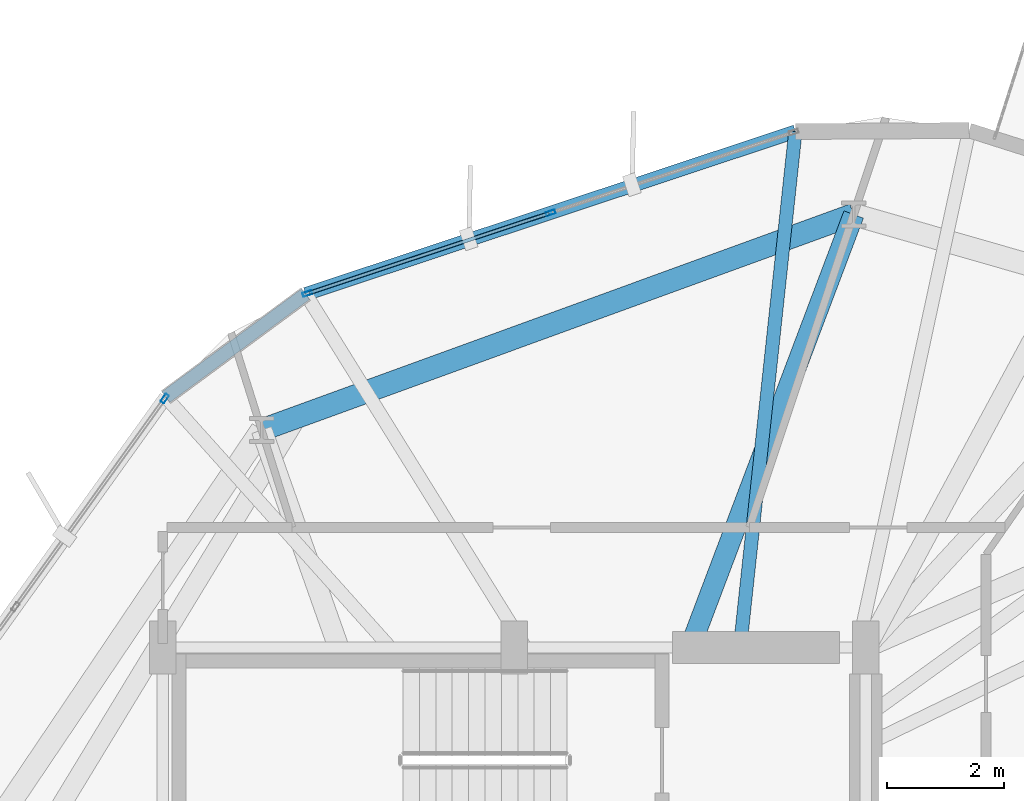
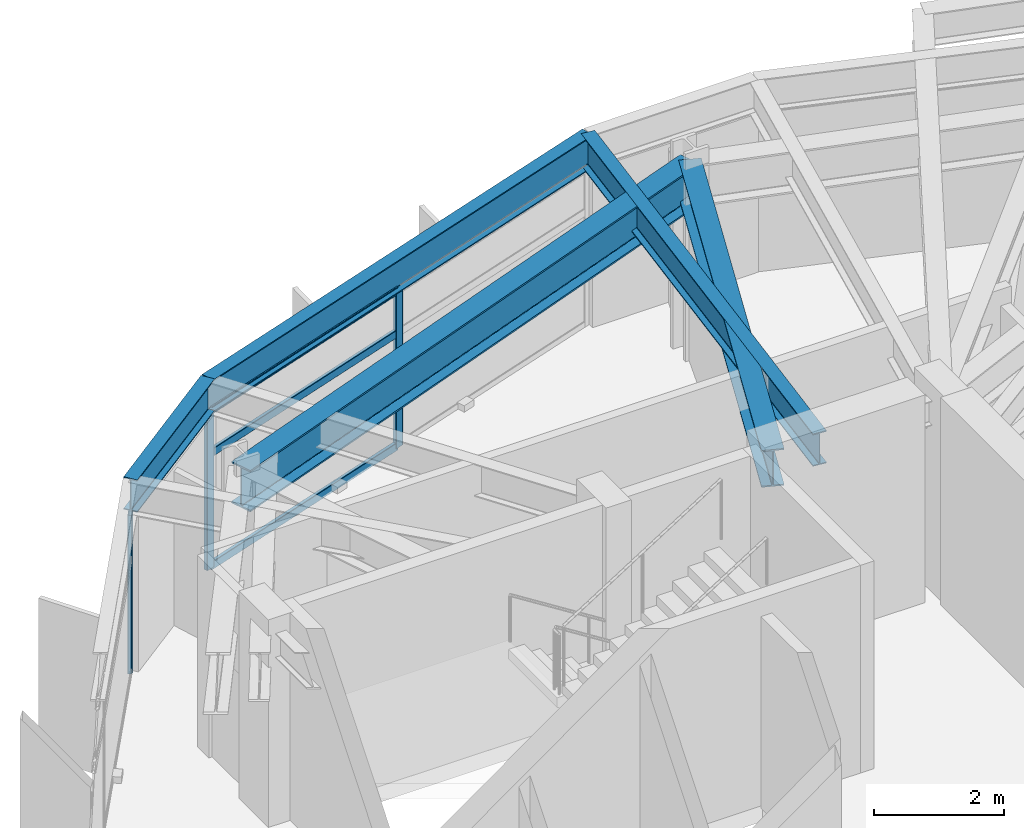
# One storey, part 17 of 27: 6 members, 5 beams, 2 elements without a shape of their own.
"""IFC4 building model written with IfcOpenShell, lengths in metres."""

from ifc_helpers import new_model, si_unit, direction, frame, origin, origin_2d, place, context, subcontext, project, spatial, hollow_rectangle, i_section, extrude, material, layer, layer_set, material_profile, profile_set, type_object, element, aggregate, save


model = new_model("IFC4")

# Units and contexts
model_context = context("Model", 3, precision=1e-05, world=origin(), true_north=direction((0.0, 1.0)))
body_context = subcontext(model_context, "Body", "Model", "MODEL_VIEW")
ifc_project = project(units=[si_unit("LENGTHUNIT", "METRE"), si_unit("AREAUNIT", "SQUARE_METRE"), si_unit("VOLUMEUNIT", "CUBIC_METRE"), si_unit("PLANEANGLEUNIT", "RADIAN"), si_unit("MASSUNIT", "GRAM", prefix="KILO")], contexts=[model_context])

# Site, building, storey
site_placement = place(None, origin())
site = spatial("IfcSite", under=ifc_project, at=site_placement, CompositionType="ELEMENT")
building_placement = place(site_placement, origin())
building = spatial("IfcBuilding", under=site, at=building_placement, Name="Soratama Intermodal Tower", CompositionType="ELEMENT")
storey_placement = place(building_placement, frame((0.0, 0.0, 99.10009765625)))
storey = spatial("IfcBuildingStorey", under=building, at=storey_placement, Name="L23", CompositionType="ELEMENT", Elevation=99.10009765625)

# Beams
ifc_material_1 = material(Name="Structural steel ASTM A992 Grade 50", Category="steel")
ifc_material_profile_1 = material_profile(ifc_material_1, i_section(OverallWidth=0.35498046875, OverallDepth=0.695068359375, WebThickness=0.015380859375, FlangeThickness=0.02490234375, FilletRadius=0.01611328125, at=origin_2d()), Name="W27X146")
ifc_profile_set_1 = profile_set([ifc_material_profile_1], Name="Structural steel ASTM A992 Grade 50")
beam_type_1 = type_object("IfcBeamType", Name="BM-RING-W27X146", PredefinedType="BEAM", material=ifc_profile_set_1)
beam_1_placement = place(storey_placement, frame((41.60009765625, 35.0, 3.25244140625), z_axis=(0.353577871145, 0.935405093549, 0.0), x_axis=(-0.935405093549, 0.353577871145, 0.0)))
element("IfcBeam", 1, at=beam_1_placement, inside=storey, type_object=beam_type_1, Name="BM-L23-RAD-03", PredefinedType="BEAM", context=body_context, shape_type="SweptSolid", body=[
    extrude(i_section(OverallWidth=0.35498046875, OverallDepth=0.695068359375, WebThickness=0.015380859375, FlangeThickness=0.02490234375, FilletRadius=0.01611328125, at=origin_2d()), origin(), (0.0, 0.0, 1.0), 7.899169921875),
])
ifc_material_2 = material(Name="Structural steel ASTM A992 Grade 50", Category="steel")
ifc_material_profile_2 = material_profile(ifc_material_2, i_section(OverallWidth=0.382080078125, OverallDepth=0.779052734375, WebThickness=0.01806640625, FlangeThickness=0.030029296875, FilletRadius=0.01806640625, at=origin_2d()), Name="W30X191")
ifc_profile_set_2 = profile_set([ifc_material_profile_2], Name="Structural steel ASTM A992 Grade 50")
beam_type_2 = type_object("IfcBeamType", Name="BM-RING-W30X191", PredefinedType="BEAM", material=ifc_profile_set_2)
beam_2_placement = place(storey_placement, frame((44.39306640625, 42.388916015625, 3.21044921875), z_axis=(-0.939690636038, -0.342025596326, 0.0), x_axis=(0.342025596326, -0.939690636038, 0.0)))
element("IfcBeam", 2, at=beam_2_placement, inside=storey, type_object=beam_type_2, Name="BM-L23-RING-03", PredefinedType="BEAM", context=body_context, shape_type="SweptSolid", body=[
    extrude(i_section(OverallWidth=0.382080078125, OverallDepth=0.779052734375, WebThickness=0.01806640625, FlangeThickness=0.030029296875, FilletRadius=0.01806640625, at=origin_2d()), origin(), (0.0, 0.0, 1.0), 10.75341796875),
])
ifc_material_3 = material(Name="Structural steel ASTM A992 Grade 50", Category="steel")
ifc_material_profile_3 = material_profile(ifc_material_3, i_section(OverallWidth=0.22900390625, OverallDepth=0.612060546875, WebThickness=0.011962890625, FlangeThickness=0.01953125, FilletRadius=0.012939453125, at=origin_2d()), Name="W24X84")
ifc_profile_set_3 = profile_set([ifc_material_profile_3], Name="Structural steel ASTM A992 Grade 50")
beam_type_3 = type_object("IfcBeamType", Name="BM-SPN-W24X84", PredefinedType="SPANDREL", material=ifc_profile_set_3)
beam_3_placement = place(storey_placement, frame((43.39794921875, 43.804931640625, 3.2939453125), z_axis=(-0.949092810088, -0.31499656798, 0.0), x_axis=(0.31499656798, -0.949092810088, 0.0)))
element("IfcBeam", 3, at=beam_3_placement, inside=storey, type_object=beam_type_3, Name="BS-L23-F03", PredefinedType="SPANDREL", context=body_context, shape_type="SweptSolid", body=[
    extrude(i_section(OverallWidth=0.22900390625, OverallDepth=0.612060546875, WebThickness=0.011962890625, FlangeThickness=0.01953125, FilletRadius=0.012939453125, at=origin_2d()), origin(), (0.0, 0.0, 1.0), 8.80615234375),
])
beam_4_placement = place(storey_placement, frame((35.0400390625, 41.031005859375, 3.2939453125), z_axis=(-0.80528122478, -0.592893033368, 0.0), x_axis=(0.592893033368, -0.80528122478, 0.0)))
element("IfcBeam", 4, at=beam_4_placement, inside=storey, type_object=beam_type_3, Name="BS-L23-CRN03", PredefinedType="SPANDREL", context=body_context, shape_type="SweptSolid", body=[
    extrude(i_section(OverallWidth=0.22900390625, OverallDepth=0.612060546875, WebThickness=0.011962890625, FlangeThickness=0.01953125, FilletRadius=0.012939453125, at=origin_2d()), origin(), (0.0, 0.0, 1.0), 2.966796875),
])
ifc_material_4 = material(Name="Structural steel ASTM A992 Grade 50", Category="steel")
ifc_material_profile_4 = material_profile(ifc_material_4, i_section(OverallWidth=0.22900390625, OverallDepth=0.612060546875, WebThickness=0.011962890625, FlangeThickness=0.01953125, FilletRadius=0.012939453125, at=origin_2d()), Name="W24X84")
ifc_profile_set_4 = profile_set([ifc_material_profile_4], Name="Structural steel ASTM A992 Grade 50")
beam_type_4 = type_object("IfcBeamType", Name="BM-TIE-W24X84", PredefinedType="BEAM", material=ifc_profile_set_4)
beam_5_placement = place(storey_placement, frame((42.45703125, 35.0400390625, 3.2939453125), z_axis=(0.106737500468, 0.994287235156, 0.0), x_axis=(-0.994287235156, 0.106737500468, 0.0)))
element("IfcBeam", 5, at=beam_5_placement, inside=storey, type_object=beam_type_4, Name="BM-L23-TIE0-03", PredefinedType="BEAM", context=body_context, shape_type="SweptSolid", body=[
    extrude(i_section(OverallWidth=0.22900390625, OverallDepth=0.612060546875, WebThickness=0.011962890625, FlangeThickness=0.01953125, FilletRadius=0.012939453125, at=origin_2d()), origin(), (0.0, 0.0, 1.0), 8.815185546875),
])

# Curtain wall, members
ifc_material_5 = material(Name="Double-glazed aluminium curtain wall", Category="aluminium")
ifc_layer = layer(ifc_material_5, 0.159912109375)
ifc_layer_set = layer_set([ifc_layer], Name="Double-glazed aluminium curtain wall")
curtain_wall_type = type_object("IfcCurtainWallType", Name="CW-SYS-3", PredefinedType="NOTDEFINED", material=ifc_layer_set)
curtain_wall_1_placement = place(storey_placement, origin())
curtain_wall_1 = element("IfcCurtainWall", 6, at=curtain_wall_1_placement, inside=storey, type_object=curtain_wall_type, Name="L23 Faceted Curtain Wall F03", PredefinedType="NOTDEFINED")
ifc_material_6 = material(Name="Anodised aluminium AA 6063-T6", Category="aluminium")
ifc_material_profile_5 = material_profile(ifc_material_6, hollow_rectangle(XDim=0.070068359375, YDim=0.159912109375, WallThickness=0.0048828125, InnerFilletRadius=0.0048828125, OuterFilletRadius=0.010009765625, at=origin_2d()), Name="CWM160X70X5")
ifc_profile_set_5 = profile_set([ifc_material_profile_5], Name="Anodised aluminium AA 6063-T6")
member_type_1 = type_object("IfcMemberType", Name="MT-CWM-3", PredefinedType="MULLION", material=ifc_profile_set_5)
member_1_placement = place(storey_placement, frame((39.219482421875, 42.417724609375, 0.0), z_axis=(0.0, 0.0, 1.0), x_axis=(0.314994319934, -0.949093556194, 0.0)))
member_1 = element("IfcMember", 7, at=member_1_placement, type_object=member_type_1, Name="CW-3 mullion 2", PredefinedType="MULLION", context=body_context, shape_type="SweptSolid", body=[
    extrude(hollow_rectangle(XDim=0.070068359375, YDim=0.159912109375, WallThickness=0.0048828125, InnerFilletRadius=0.0048828125, OuterFilletRadius=0.010009765625, at=origin_2d()), origin(), (0.0, 0.0, 1.0), 2.97900390625),
])
member_2_placement = place(storey_placement, frame((35.06884765625, 41.0400390625, 0.0), z_axis=(0.0, 0.0, 1.0), x_axis=(0.314994319934, -0.949093556194, 0.0)))
member_2 = element("IfcMember", 8, at=member_2_placement, type_object=member_type_1, Name="CW-3 mullion 3", PredefinedType="MULLION", context=body_context, shape_type="SweptSolid", body=[
    extrude(hollow_rectangle(XDim=0.070068359375, YDim=0.159912109375, WallThickness=0.0048828125, InnerFilletRadius=0.0048828125, OuterFilletRadius=0.010009765625, at=origin_2d()), origin(), (0.0, 0.0, 1.0), 2.97900390625),
])

# Curtain wall, member
curtain_wall_2_placement = place(storey_placement, origin())
curtain_wall_2 = element("IfcCurtainWall", 9, at=curtain_wall_2_placement, inside=storey, type_object=curtain_wall_type, Name="L23 Faceted Curtain Wall F04", PredefinedType="NOTDEFINED")
member_3_placement = place(storey_placement, frame((32.6337890625, 39.24755859375, 0.0), z_axis=(0.0, 0.0, 1.0), x_axis=(0.812696409232, -0.582687348774, 0.0)))
member_3 = element("IfcMember", 10, at=member_3_placement, type_object=member_type_1, Name="CW-3 mullion 1", PredefinedType="MULLION", context=body_context, shape_type="SweptSolid", body=[
    extrude(hollow_rectangle(XDim=0.070068359375, YDim=0.159912109375, WallThickness=0.0048828125, InnerFilletRadius=0.0048828125, OuterFilletRadius=0.010009765625, at=origin_2d()), origin(), (0.0, 0.0, 1.0), 2.97900390625),
])
aggregate(curtain_wall_2, [member_3])

# Member
ifc_material_7 = material(Name="Anodised aluminium AA 6063-T6", Category="aluminium")
ifc_material_profile_6 = material_profile(ifc_material_7, hollow_rectangle(XDim=0.06494140625, YDim=0.14990234375, WallThickness=0.0048828125, InnerFilletRadius=0.0048828125, OuterFilletRadius=0.010009765625, at=origin_2d()), Name="CWT150X65X5")
ifc_profile_set_6 = profile_set([ifc_material_profile_6], Name="Anodised aluminium AA 6063-T6")
member_type_2 = type_object("IfcMemberType", Name="TT-CWT-1", PredefinedType="USERDEFINED", material=ifc_profile_set_6)
member_4_placement = place(storey_placement, frame((39.19091796875, 42.408203125, 0.02978515625), z_axis=(-0.949095679921, -0.314987920966, 0.0), x_axis=(0.314987920966, -0.949095679921, 0.0)))
member_4 = element("IfcMember", 11, at=member_4_placement, type_object=member_type_2, Name="CW-3 transom 2.1", ObjectType="TRANSOM", PredefinedType="USERDEFINED", context=body_context, shape_type="SweptSolid", body=[
    extrude(hollow_rectangle(XDim=0.06494140625, YDim=0.14990234375, WallThickness=0.0048828125, InnerFilletRadius=0.0048828125, OuterFilletRadius=0.010009765625, at=origin_2d()), origin(), (0.0, 0.0, 1.0), 4.313232421875),
])

member_5_placement = place(storey_placement, frame((39.19091796875, 42.408203125, 2.14990234375), z_axis=(-0.949095679921, -0.314987920966, 0.0), x_axis=(0.314987920966, -0.949095679921, 0.0)))
member_5 = element("IfcMember", 12, at=member_5_placement, type_object=member_type_2, Name="CW-3 transom 2.2", ObjectType="TRANSOM", PredefinedType="USERDEFINED", context=body_context, shape_type="SweptSolid", body=[
    extrude(hollow_rectangle(XDim=0.06494140625, YDim=0.14990234375, WallThickness=0.0048828125, InnerFilletRadius=0.0048828125, OuterFilletRadius=0.010009765625, at=origin_2d()), origin(), (0.0, 0.0, 1.0), 4.313232421875),
])

member_6_placement = place(storey_placement, frame((39.19091796875, 42.408203125, 2.948974609375), z_axis=(-0.949095679921, -0.314987920966, 0.0), x_axis=(0.314987920966, -0.949095679921, 0.0)))
member_6 = element("IfcMember", 13, at=member_6_placement, type_object=member_type_2, Name="CW-3 transom 2.3", ObjectType="TRANSOM", PredefinedType="USERDEFINED", context=body_context, shape_type="SweptSolid", body=[
    extrude(hollow_rectangle(XDim=0.06494140625, YDim=0.14990234375, WallThickness=0.0048828125, InnerFilletRadius=0.0048828125, OuterFilletRadius=0.010009765625, at=origin_2d()), origin(), (0.0, 0.0, 1.0), 4.313232421875),
])

aggregate(curtain_wall_1, [member_1, member_2, member_4, member_5, member_6])

save(model, "model.ifc")
